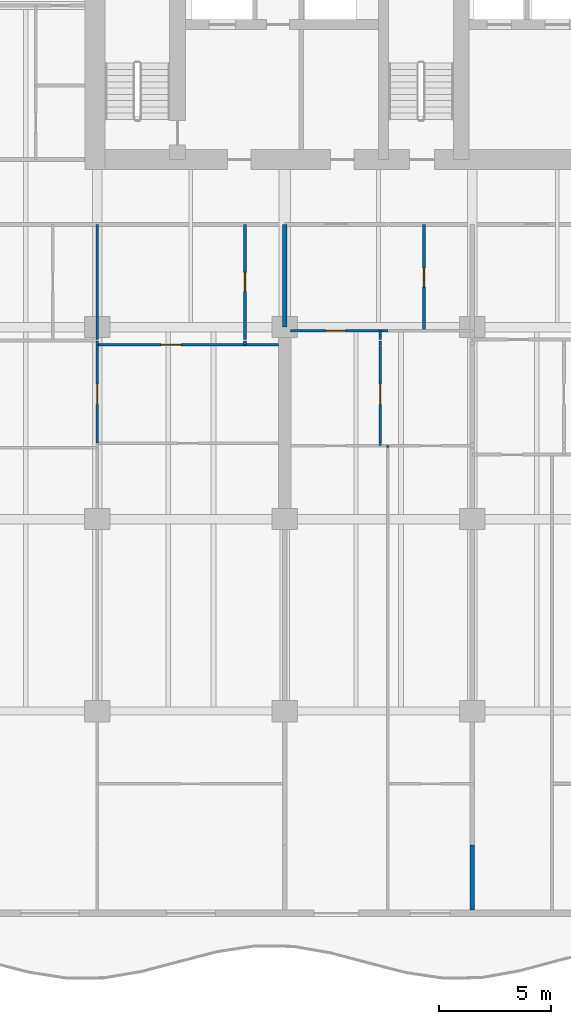
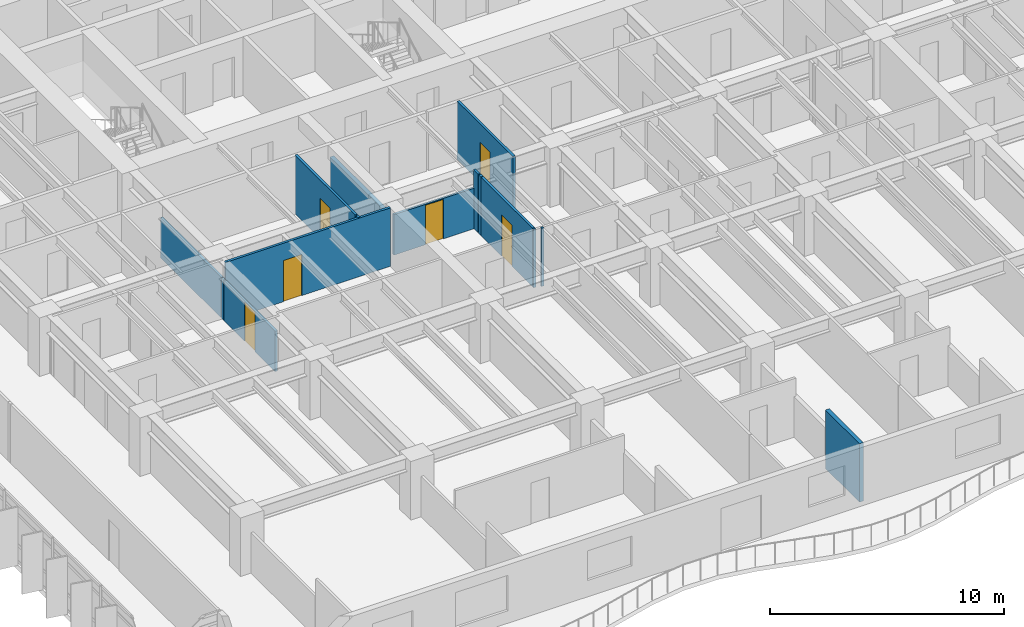
# One storey, part 7 of 18: 15 walls, 6 doors, 6 openings.
"""IFC4 building model written with IfcOpenShell, lengths in metres."""

from ifc_helpers import new_model, si_unit, direction, frame, frame_2d, origin, place, context, subcontext, project, spatial, rectangle, extrude, material, layer, layer_set, type_object, element, fill, save


model = new_model("IFC4")

# Units and contexts
model_context = context("Model", 3, precision=1e-05, world=origin(), true_north=direction((0.0, 1.0)))
body_context = subcontext(model_context, "Body", "Model", "MODEL_VIEW")
ifc_project = project(units=[si_unit("LENGTHUNIT", "METRE"), si_unit("AREAUNIT", "SQUARE_METRE"), si_unit("VOLUMEUNIT", "CUBIC_METRE"), si_unit("PLANEANGLEUNIT", "RADIAN"), si_unit("MASSUNIT", "GRAM", prefix="KILO")], contexts=[model_context])

# Site, building, storey
site_placement = place(None, origin())
site = spatial("IfcSite", under=ifc_project, at=site_placement, CompositionType="ELEMENT")
building_placement = place(site_placement, origin())
building = spatial("IfcBuilding", under=site, at=building_placement, Name="Caelmar Bay Residences", CompositionType="ELEMENT")
storey_placement = place(building_placement, frame((0.0, 0.0, 46.5)))
storey = spatial("IfcBuildingStorey", under=building, at=storey_placement, Name="L11", CompositionType="ELEMENT", Elevation=46.5)

# Wall, opening, door
ifc_material_1 = material(Name="Acoustic metal-stud gypsum partition 120 mm")
ifc_layer_1 = layer(ifc_material_1, 0.1201171875)
ifc_layer_set_1 = layer_set([ifc_layer_1], Name="Acoustic metal-stud gypsum partition 120 mm")
wall_type_1 = type_object("IfcWallType", Name="W-PRT-120", PredefinedType="PARTITIONING", material=ifc_layer_set_1)
wall_1_placement = place(storey_placement, frame((18.300048828125, 24.199951171875, 0.0), z_axis=(0.0, 0.0, 1.0), x_axis=(0.0, 1.0, 0.0)))
wall_1 = element("IfcWall", 1, at=wall_1_placement, inside=storey, type_object=wall_type_1, Name="L11 Partition Wall V023", PredefinedType="PARTITIONING", context=body_context, shape_type="SweptSolid", body=[
    extrude(rectangle(XDim=4.380126953125, YDim=0.1201171875, at=frame_2d((2.18994140625, 0.0))), origin(), (0.0, 0.0, 1.0), 2.110107421875),
])
opening_1_placement = place(wall_1_placement, frame((1.739990234375, 0.0, 0.0)))
opening_1 = element("IfcOpeningElement", 2, at=opening_1_placement, cuts=wall_1, Name="Opening D-L11-128", PredefinedType="OPENING", context=body_context, shape_type="SweptSolid", body=[
    extrude(rectangle(XDim=0.89990234375, YDim=2.06005859375, at=frame_2d((0.449951171875, 1.030029296875))), frame((0.0, 0.070068359375, 0.0), z_axis=(0.0, -1.0, 0.0), x_axis=(1.0, 0.0, 0.0)), (0.0, 0.0, 1.0), 0.14013671875),
])
ifc_material_2 = material(Name="Solid walnut timber interior door leaf and frame", Category="wood")
ifc_layer_2 = layer(ifc_material_2, 0.050048828125)
ifc_layer_set_2 = layer_set([ifc_layer_2], Name="Solid walnut timber interior door leaf and frame")
door_type_1 = type_object("IfcDoorType", Name="D-ROOM-900", OperationType="NOTDEFINED", PredefinedType="DOOR", material=ifc_layer_set_2)
door_1_placement = place(opening_1_placement, origin())
door_1 = element("IfcDoor", 3, at=door_1_placement, inside=storey, type_object=door_type_1, Name="L11 Residence 01 Library Study 1 Door", OperationType="SINGLE_SWING_LEFT", OverallHeight=2.06005859375, OverallWidth=0.89990234375, PredefinedType="DOOR", context=body_context, shape_type="SweptSolid", body=[
    extrude(rectangle(XDim=0.89990234375, YDim=2.06005859375, at=frame_2d((0.449951171875, 1.030029296875))), frame((0.0, 0.02490234375, 0.0), z_axis=(0.0, -1.0, 0.0), x_axis=(1.0, 0.0, 0.0)), (0.0, 0.0, 1.0), 0.050048828125),
])
fill(opening_1, door_1)

# Walls
wall_2_placement = place(storey_placement, frame((18.300048828125, 28.60009765625, 0.0), z_axis=(0.0, 0.0, 1.0), x_axis=(0.0, 1.0, 0.0)))
element("IfcWall", 4, at=wall_2_placement, inside=storey, type_object=wall_type_1, Name="L11 Partition Wall V024", PredefinedType="PARTITIONING", context=body_context, shape_type="SweptSolid", body=[
    extrude(rectangle(XDim=0.179931640625, YDim=0.1201171875, at=frame_2d((0.08984375, 0.0))), origin(), (0.0, 0.0, 1.0), 2.110107421875),
])
wall_3_placement = place(storey_placement, frame((18.300048828125, 28.840087890625, 0.0), z_axis=(0.0, 0.0, 1.0), x_axis=(0.0, 1.0, 0.0)))
element("IfcWall", 5, at=wall_3_placement, inside=storey, type_object=wall_type_1, Name="L11 Partition Wall V025", PredefinedType="PARTITIONING", context=body_context, shape_type="SweptSolid", body=[
    extrude(rectangle(XDim=5.159912109375, YDim=0.1201171875, at=frame_2d((2.580078125, 0.0))), origin(), (0.0, 0.0, 1.0), 2.110107421875),
])
wall_4_placement = place(storey_placement, frame((24.922119140625, 28.60009765625, 0.0), z_axis=(0.0, 0.0, 1.0), x_axis=(0.0, 1.0, 0.0)))
element("IfcWall", 6, at=wall_4_placement, inside=storey, type_object=wall_type_1, Name="L11 Partition Wall V027", PredefinedType="PARTITIONING", context=body_context, shape_type="SweptSolid", body=[
    extrude(rectangle(XDim=0.179931640625, YDim=0.1201171875, at=frame_2d((0.08984375, 0.0))), origin(), (0.0, 0.0, 1.0), 3.050048828125),
])

# Wall, opening, door
wall_5_placement = place(storey_placement, frame((24.922119140625, 28.840087890625, 0.0), z_axis=(0.0, 0.0, 1.0), x_axis=(0.0, 1.0, 0.0)))
wall_5 = element("IfcWall", 7, at=wall_5_placement, inside=storey, type_object=wall_type_1, Name="L11 Partition Wall V028", PredefinedType="PARTITIONING", context=body_context, shape_type="SweptSolid", body=[
    extrude(rectangle(XDim=5.159912109375, YDim=0.1201171875, at=frame_2d((2.580078125, 0.0))), origin(), (0.0, 0.0, 1.0), 3.050048828125),
])
opening_2_placement = place(wall_5_placement, frame((2.155029296875, 0.0, 0.0)))
opening_2 = element("IfcOpeningElement", 8, at=opening_2_placement, cuts=wall_5, Name="Opening D-L11-130", PredefinedType="OPENING", context=body_context, shape_type="SweptSolid", body=[
    extrude(rectangle(XDim=0.85009765625, YDim=2.10009765625, at=frame_2d((0.425048828125, 1.050048828125))), frame((0.0, 0.070068359375, 0.0), z_axis=(0.0, -1.0, 0.0), x_axis=(1.0, 0.0, 0.0)), (0.0, 0.0, 1.0), 0.14013671875),
])
ifc_layer_3 = layer(ifc_material_2, 0.050048828125)
ifc_layer_set_3 = layer_set([ifc_layer_3], Name="Solid walnut timber interior door leaf and frame")
door_type_2 = type_object("IfcDoorType", Name="D-BATH-850", OperationType="NOTDEFINED", PredefinedType="DOOR", material=ifc_layer_set_3)
door_2_placement = place(opening_2_placement, origin())
door_2 = element("IfcDoor", 9, at=door_2_placement, inside=storey, type_object=door_type_2, Name="L11 Residence 01 En-Suite Bathroom 1 Door", OperationType="SINGLE_SWING_LEFT", OverallHeight=2.10009765625, OverallWidth=0.85009765625, PredefinedType="DOOR", context=body_context, shape_type="SweptSolid", body=[
    extrude(rectangle(XDim=0.85009765625, YDim=2.10009765625, at=frame_2d((0.425048828125, 1.050048828125))), frame((0.0, 0.02490234375, 0.0), z_axis=(0.0, -1.0, 0.0), x_axis=(1.0, 0.0, 0.0)), (0.0, 0.0, 1.0), 0.050048828125),
])
fill(opening_2, door_2)

# Wall
wall_6_placement = place(storey_placement, frame((30.986083984375, 24.090087890625, 0.0), z_axis=(0.0, 0.0, 1.0), x_axis=(0.0, 1.0, 0.0)))
element("IfcWall", 10, at=wall_6_placement, inside=storey, type_object=wall_type_1, Name="L11 Partition Wall V036", PredefinedType="PARTITIONING", context=body_context, shape_type="SweptSolid", body=[
    extrude(rectangle(XDim=0.08984375, YDim=0.1201171875, at=frame_2d((0.044921875, 0.0))), origin(), (0.0, 0.0, 1.0), 3.050048828125),
])

# Wall, opening, door
wall_7_placement = place(storey_placement, frame((30.986083984375, 24.199951171875, 0.0), z_axis=(0.0, 0.0, 1.0), x_axis=(0.0, 1.0, 0.0)))
wall_7 = element("IfcWall", 11, at=wall_7_placement, inside=storey, type_object=wall_type_1, Name="L11 Partition Wall V037", PredefinedType="PARTITIONING", context=body_context, shape_type="SweptSolid", body=[
    extrude(rectangle(XDim=4.380126953125, YDim=0.1201171875, at=frame_2d((2.18994140625, 0.0))), origin(), (0.0, 0.0, 1.0), 3.050048828125),
])
opening_3_placement = place(wall_7_placement, frame((1.739990234375, 0.0, 0.0)))
opening_3 = element("IfcOpeningElement", 12, at=opening_3_placement, cuts=wall_7, Name="Opening D-L11-137", PredefinedType="OPENING", context=body_context, shape_type="SweptSolid", body=[
    extrude(rectangle(XDim=0.89990234375, YDim=2.14990234375, at=frame_2d((0.449951171875, 1.074951171875))), frame((0.0, 0.070068359375, 0.0), z_axis=(0.0, -1.0, 0.0), x_axis=(1.0, 0.0, 0.0)), (0.0, 0.0, 1.0), 0.14013671875),
])
door_3_placement = place(opening_3_placement, origin())
door_3 = element("IfcDoor", 13, at=door_3_placement, inside=storey, type_object=door_type_1, Name="L11 Residence 02 Home Office Door", OperationType="SINGLE_SWING_RIGHT", OverallHeight=2.14990234375, OverallWidth=0.89990234375, PredefinedType="DOOR", context=body_context, shape_type="SweptSolid", body=[
    extrude(rectangle(XDim=0.89990234375, YDim=2.14990234375, at=frame_2d((0.449951171875, 1.074951171875))), frame((0.0, 0.02490234375, 0.0), z_axis=(0.0, -1.0, 0.0), x_axis=(1.0, 0.0, 0.0)), (0.0, 0.0, 1.0), 0.050048828125),
])
fill(opening_3, door_3)

# Walls
wall_8_placement = place(storey_placement, frame((30.986083984375, 28.60009765625, 0.0), z_axis=(0.0, 0.0, 1.0), x_axis=(0.0, 1.0, 0.0)))
element("IfcWall", 14, at=wall_8_placement, inside=storey, type_object=wall_type_1, Name="L11 Partition Wall V038", PredefinedType="PARTITIONING", context=body_context, shape_type="SweptSolid", body=[
    extrude(rectangle(XDim=0.179931640625, YDim=0.1201171875, at=frame_2d((0.08984375, 0.0))), origin(), (0.0, 0.0, 1.0), 3.050048828125),
])
wall_9_placement = place(storey_placement, frame((30.986083984375, 28.840087890625, 0.0), z_axis=(0.0, 0.0, 1.0), x_axis=(0.0, 1.0, 0.0)))
element("IfcWall", 15, at=wall_9_placement, inside=storey, type_object=wall_type_1, Name="L11 Partition Wall V039", PredefinedType="PARTITIONING", context=body_context, shape_type="SweptSolid", body=[
    extrude(rectangle(XDim=0.39990234375, YDim=0.1201171875, at=frame_2d((0.199951171875, 0.0))), origin(), (0.0, 0.0, 1.0), 3.050048828125),
])
wall_10_placement = place(storey_placement, frame((31.320068359375, 24.0, 0.0), z_axis=(0.0, 0.0, 1.0), x_axis=(0.0, 1.0, 0.0)))
element("IfcWall", 16, at=wall_10_placement, inside=storey, type_object=wall_type_1, Name="L11 Partition Wall V042", PredefinedType="PARTITIONING", context=body_context, shape_type="SweptSolid", body=[
    extrude(rectangle(XDim=0.090087890625, YDim=0.1201171875, at=frame_2d((0.044921875, 0.0))), origin(), (0.0, 0.0, 1.0), 3.050048828125),
])

# Wall, opening, door
wall_11_placement = place(storey_placement, frame((32.93603515625, 29.239990234375, 0.0), z_axis=(0.0, 0.0, 1.0), x_axis=(0.0, 1.0, 0.0)))
wall_11 = element("IfcWall", 17, at=wall_11_placement, inside=storey, type_object=wall_type_1, Name="L11 Partition Wall V044", PredefinedType="PARTITIONING", context=body_context, shape_type="SweptSolid", body=[
    extrude(rectangle(XDim=4.760009765625, YDim=0.1201171875, at=frame_2d((2.3798828125, 0.0))), origin(), (0.0, 0.0, 1.0), 3.050048828125),
])
opening_4_placement = place(wall_11_placement, frame((1.955078125, 0.0, 0.0)))
opening_4 = element("IfcOpeningElement", 18, at=opening_4_placement, cuts=wall_11, Name="Opening D-L11-135", PredefinedType="OPENING", context=body_context, shape_type="SweptSolid", body=[
    extrude(rectangle(XDim=0.85009765625, YDim=2.10009765625, at=frame_2d((0.425048828125, 1.050048828125))), frame((0.0, 0.070068359375, 0.0), z_axis=(0.0, -1.0, 0.0), x_axis=(1.0, 0.0, 0.0)), (0.0, 0.0, 1.0), 0.14013671875),
])
door_4_placement = place(opening_4_placement, origin())
door_4 = element("IfcDoor", 19, at=door_4_placement, inside=storey, type_object=door_type_2, Name="L11 Residence 02 Bathroom Door", OperationType="SINGLE_SWING_RIGHT", OverallHeight=2.10009765625, OverallWidth=0.85009765625, PredefinedType="DOOR", context=body_context, shape_type="SweptSolid", body=[
    extrude(rectangle(XDim=0.85009765625, YDim=2.10009765625, at=frame_2d((0.425048828125, 1.050048828125))), frame((0.0, 0.02490234375, 0.0), z_axis=(0.0, -1.0, 0.0), x_axis=(1.0, 0.0, 0.0)), (0.0, 0.0, 1.0), 0.050048828125),
])
fill(opening_4, door_4)

wall_12_placement = place(storey_placement, frame((18.300048828125, 28.60009765625, 0.0), z_axis=(0.0, 0.0, 1.0), x_axis=(1.0, 0.0, 0.0)))
wall_12 = element("IfcWall", 20, at=wall_12_placement, inside=storey, type_object=wall_type_1, Name="L11 Partition Wall H127", PredefinedType="PARTITIONING", context=body_context, shape_type="SweptSolid", body=[
    extrude(rectangle(XDim=8.1298828125, YDim=0.1201171875, at=frame_2d((4.06494140625, 0.0))), origin(), (0.0, 0.0, 1.0), 3.050048828125),
])
opening_5_placement = place(wall_12_placement, frame((2.861083984375, 0.0, 0.0)))
opening_5 = element("IfcOpeningElement", 21, at=opening_5_placement, cuts=wall_12, Name="Opening D-L11-129", PredefinedType="OPENING", context=body_context, shape_type="SweptSolid", body=[
    extrude(rectangle(XDim=0.89990234375, YDim=2.14990234375, at=frame_2d((0.449951171875, 1.074951171875))), frame((0.0, 0.070068359375, 0.0), z_axis=(0.0, -1.0, 0.0), x_axis=(1.0, 0.0, 0.0)), (0.0, 0.0, 1.0), 0.14013671875),
])
door_5_placement = place(opening_5_placement, origin())
door_5 = element("IfcDoor", 22, at=door_5_placement, inside=storey, type_object=door_type_1, Name="L11 Residence 01 Home Office 1 Door", OperationType="SINGLE_SWING_RIGHT", OverallHeight=2.14990234375, OverallWidth=0.89990234375, PredefinedType="DOOR", context=body_context, shape_type="SweptSolid", body=[
    extrude(rectangle(XDim=0.89990234375, YDim=2.14990234375, at=frame_2d((0.449951171875, 1.074951171875))), frame((0.0, 0.02490234375, 0.0), z_axis=(0.0, -1.0, 0.0), x_axis=(1.0, 0.0, 0.0)), (0.0, 0.0, 1.0), 0.050048828125),
])
fill(opening_5, door_5)

wall_13_placement = place(storey_placement, frame((26.969970703125, 29.239990234375, 0.0), z_axis=(0.0, 0.0, 1.0), x_axis=(1.0, 0.0, 0.0)))
wall_13 = element("IfcWall", 23, at=wall_13_placement, inside=storey, type_object=wall_type_1, Name="L11 Partition Wall H132", PredefinedType="PARTITIONING", context=body_context, shape_type="SweptSolid", body=[
    extrude(rectangle(XDim=4.35009765625, YDim=0.1201171875, at=frame_2d((2.175048828125, 0.0))), origin(), (0.0, 0.0, 1.0), 2.110107421875),
])
opening_6_placement = place(wall_13_placement, frame((1.55810546875, 0.0, 0.0)))
opening_6 = element("IfcOpeningElement", 24, at=opening_6_placement, cuts=wall_13, Name="Opening D-L11-136", PredefinedType="OPENING", context=body_context, shape_type="SweptSolid", body=[
    extrude(rectangle(XDim=0.89990234375, YDim=2.06005859375, at=frame_2d((0.449951171875, 1.030029296875))), frame((0.0, 0.070068359375, 0.0), z_axis=(0.0, -1.0, 0.0), x_axis=(1.0, 0.0, 0.0)), (0.0, 0.0, 1.0), 0.14013671875),
])
door_6_placement = place(opening_6_placement, origin())
door_6 = element("IfcDoor", 25, at=door_6_placement, inside=storey, type_object=door_type_1, Name="L11 Residence 02 Kitchen Door", OperationType="SINGLE_SWING_LEFT", OverallHeight=2.06005859375, OverallWidth=0.89990234375, PredefinedType="DOOR", context=body_context, shape_type="SweptSolid", body=[
    extrude(rectangle(XDim=0.89990234375, YDim=2.06005859375, at=frame_2d((0.449951171875, 1.030029296875))), frame((0.0, 0.02490234375, 0.0), z_axis=(0.0, -1.0, 0.0), x_axis=(1.0, 0.0, 0.0)), (0.0, 0.0, 1.0), 0.050048828125),
])
fill(opening_6, door_6)

# Walls
ifc_material_3 = material(Name="Acoustic twin-stud fire-rated inter-tenancy partition 200 mm")
ifc_layer_4 = layer(ifc_material_3, 0.199951171875)
ifc_layer_set_4 = layer_set([ifc_layer_4], Name="Acoustic twin-stud fire-rated inter-tenancy partition 200 mm")
wall_type_2 = type_object("IfcWallType", Name="W-PTY-200", PredefinedType="PARTITIONING", material=ifc_layer_set_4)
wall_14_placement = place(storey_placement, frame((26.699951171875, 29.405029296875, 0.0), z_axis=(0.0, 0.0, 1.0), x_axis=(0.0, 1.0, 0.0)))
element("IfcWall", 26, at=wall_14_placement, inside=storey, type_object=wall_type_2, Name="L11 Partition Wall V033", PredefinedType="PARTITIONING", context=body_context, shape_type="SweptSolid", body=[
    extrude(rectangle(XDim=4.594970703125, YDim=0.199951171875, at=frame_2d((2.29736328125, 0.0))), origin(), (0.0, 0.0, 1.0), 2.3349609375),
])
wall_15_placement = place(storey_placement, frame((35.10009765625, 3.294921875, 0.0), z_axis=(0.0, 0.0, 1.0), x_axis=(0.0, 1.0, 0.0)))
element("IfcWall", 27, at=wall_15_placement, inside=storey, type_object=wall_type_2, Name="L11 Partition Wall V045", PredefinedType="PARTITIONING", context=body_context, shape_type="SweptSolid", body=[
    extrude(rectangle(XDim=2.905029296875, YDim=0.199951171875, at=frame_2d((1.45263671875, 0.0))), origin(), (0.0, 0.0, 1.0), 3.050048828125),
])

save(model, "model.ifc")
